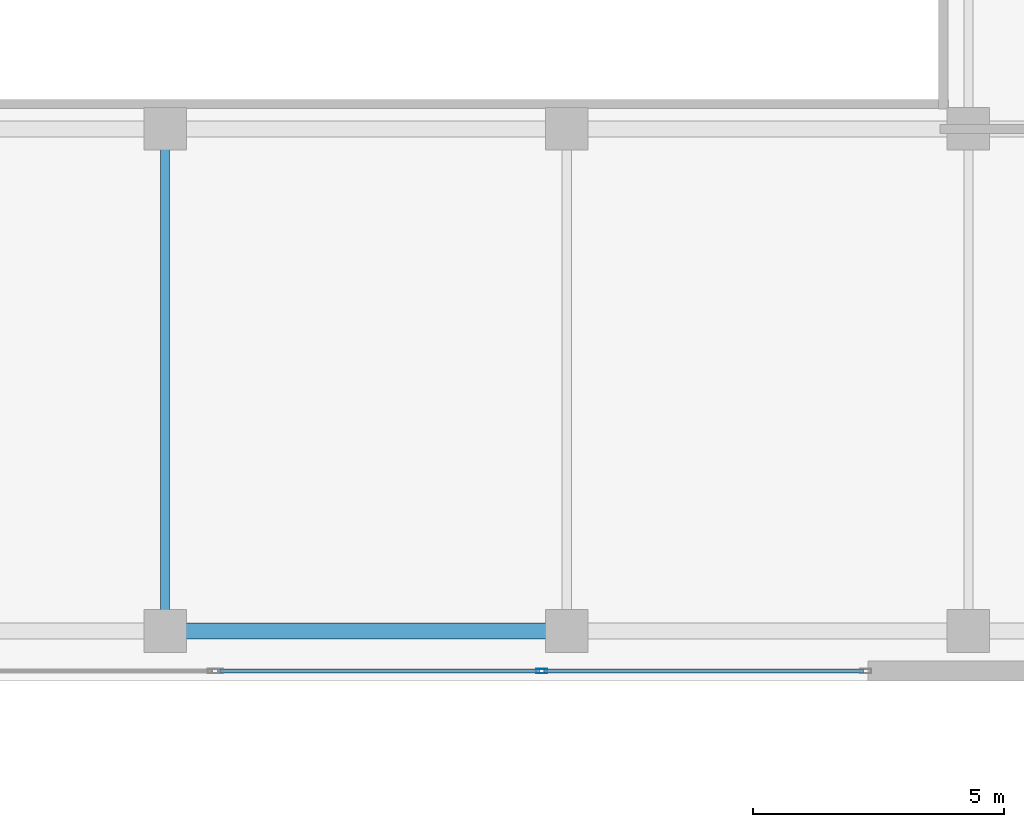
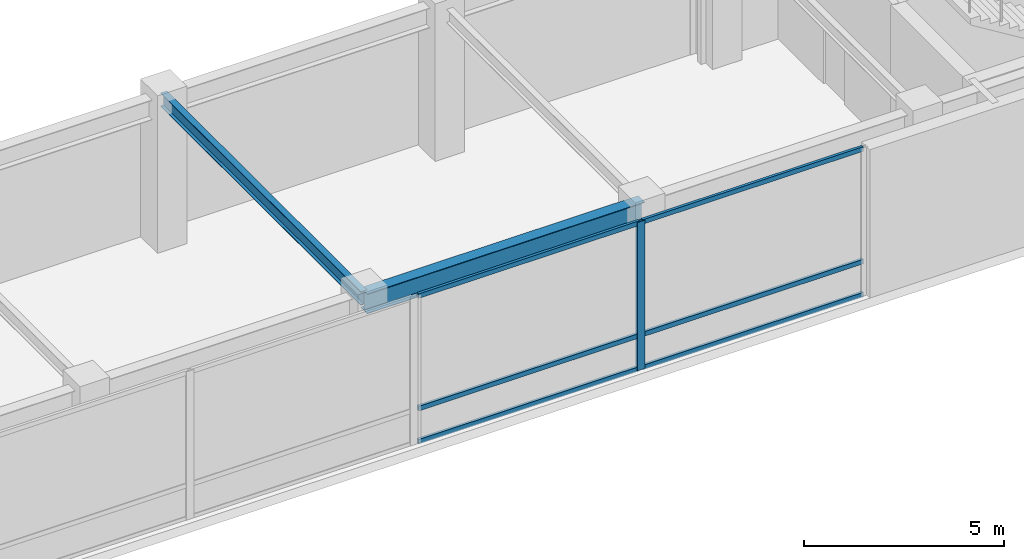
# One storey, part 14 of 40: 7 members, 2 beams, 1 element without a shape of its own.
"""IFC4 building model written with IfcOpenShell, lengths in metres."""

from ifc_helpers import new_model, si_unit, direction, frame, origin, origin_2d, place, context, subcontext, project, spatial, hollow_rectangle, i_section, extrude, material, layer, layer_set, material_profile, profile_set, type_object, element, aggregate, save


model = new_model("IFC4")

# Units and contexts
model_context = context("Model", 3, precision=1e-05, world=origin(), true_north=direction((0.0, 1.0)))
body_context = subcontext(model_context, "Body", "Model", "MODEL_VIEW")
ifc_project = project(units=[si_unit("LENGTHUNIT", "METRE"), si_unit("AREAUNIT", "SQUARE_METRE"), si_unit("VOLUMEUNIT", "CUBIC_METRE"), si_unit("PLANEANGLEUNIT", "RADIAN"), si_unit("MASSUNIT", "GRAM", prefix="KILO")], contexts=[model_context])

# Site, building, storey
site_placement = place(None, origin())
site = spatial("IfcSite", under=ifc_project, at=site_placement, CompositionType="ELEMENT")
building_placement = place(site_placement, origin())
building = spatial("IfcBuilding", under=site, at=building_placement, Name="Kazevale Care Tower and Concert Hall", CompositionType="ELEMENT")
storey_placement = place(building_placement, frame((0.0, 0.0, 9.60009765625)))
storey = spatial("IfcBuildingStorey", under=building, at=storey_placement, Name="L02", CompositionType="ELEMENT", Elevation=9.60009765625)

# Curtain wall, members
ifc_material_1 = material(Name="Aluminium 6063-T6 and Low-E Glass", Category="aluminium")
ifc_layer = layer(ifc_material_1, 0.179931640625)
ifc_layer_set = layer_set([ifc_layer], Name="Aluminium 6063-T6 and Low-E Glass")
curtain_wall_type = type_object("IfcCurtainWallType", Name="Concert Hall Foyer Storefront Curtain Wall CW-6", PredefinedType="NOTDEFINED", material=ifc_layer_set)
curtain_wall_placement = place(storey_placement, origin())
curtain_wall = element("IfcCurtainWall", 1, at=curtain_wall_placement, inside=storey, type_object=curtain_wall_type, Name="cw:L02:hall:S3", PredefinedType="NOTDEFINED")
ifc_material_2 = material(Name="Aluminium 6063-T6", Category="aluminium")
ifc_material_profile_1 = material_profile(ifc_material_2, hollow_rectangle(XDim=0.090087890625, YDim=0.219970703125, WallThickness=0.0048828125, at=origin_2d()), Name="ALU90x220x5")
ifc_profile_set_1 = profile_set([ifc_material_profile_1], Name="Aluminium 6063-T6")
member_type_1 = type_object("IfcMemberType", Name="CW-6 Mullion ALU90x220x5", PredefinedType="MULLION", material=ifc_profile_set_1)
member_1_placement = place(storey_placement, frame((127.5, 14.199951171875, 0.0), z_axis=(0.0, 0.0, 1.0), x_axis=(0.0, 1.0, 0.0)))
member_1 = element("IfcMember", 2, at=member_1_placement, type_object=member_type_1, Name="CW-6 mullion 2", PredefinedType="MULLION", context=body_context, shape_type="SweptSolid", body=[
    extrude(hollow_rectangle(XDim=0.090087890625, YDim=0.219970703125, WallThickness=0.0048828125, at=origin_2d()), origin(), (0.0, 0.0, 1.0), 4.52001953125),
])
ifc_material_profile_2 = material_profile(ifc_material_2, hollow_rectangle(XDim=0.080078125, YDim=0.139892578125, WallThickness=0.00390625, at=origin_2d()), Name="ALU80x140x4")
ifc_profile_set_2 = profile_set([ifc_material_profile_2], Name="Aluminium 6063-T6")
member_type_2 = type_object("IfcMemberType", Name="CW-6 Transom ALU80x140x4", PredefinedType="USERDEFINED", material=ifc_profile_set_2)
member_2_placement = place(storey_placement, frame((121.090087890625, 14.199951171875, 0.039794921875), z_axis=(1.0, 0.0, 0.0), x_axis=(0.0, 1.0, 0.0)))
member_2 = element("IfcMember", 3, at=member_2_placement, type_object=member_type_2, Name="CW-6 transom 1.1", ObjectType="TRANSOM", PredefinedType="USERDEFINED", context=body_context, shape_type="SweptSolid", body=[
    extrude(hollow_rectangle(XDim=0.080078125, YDim=0.139892578125, WallThickness=0.00390625, at=origin_2d()), origin(), (0.0, 0.0, 1.0), 6.364990234375),
])
member_3_placement = place(storey_placement, frame((121.090087890625, 14.199951171875, 1.0498046875), z_axis=(1.0, 0.0, 0.0), x_axis=(0.0, 1.0, 0.0)))
member_3 = element("IfcMember", 4, at=member_3_placement, type_object=member_type_2, Name="CW-6 transom 1.2", ObjectType="TRANSOM", PredefinedType="USERDEFINED", context=body_context, shape_type="SweptSolid", body=[
    extrude(hollow_rectangle(XDim=0.080078125, YDim=0.139892578125, WallThickness=0.00390625, at=origin_2d()), origin(), (0.0, 0.0, 1.0), 6.364990234375),
])
member_4_placement = place(storey_placement, frame((121.090087890625, 14.199951171875, 4.47998046875), z_axis=(1.0, 0.0, 0.0), x_axis=(0.0, 1.0, 0.0)))
member_4 = element("IfcMember", 5, at=member_4_placement, type_object=member_type_2, Name="CW-6 transom 1.3", ObjectType="TRANSOM", PredefinedType="USERDEFINED", context=body_context, shape_type="SweptSolid", body=[
    extrude(hollow_rectangle(XDim=0.080078125, YDim=0.139892578125, WallThickness=0.00390625, at=origin_2d()), origin(), (0.0, 0.0, 1.0), 6.364990234375),
])
member_5_placement = place(storey_placement, frame((127.544921875, 14.199951171875, 0.039794921875), z_axis=(1.0, 0.0, 0.0), x_axis=(0.0, 1.0, 0.0)))
member_5 = element("IfcMember", 6, at=member_5_placement, type_object=member_type_2, Name="CW-6 transom 2.1", ObjectType="TRANSOM", PredefinedType="USERDEFINED", context=body_context, shape_type="SweptSolid", body=[
    extrude(hollow_rectangle(XDim=0.080078125, YDim=0.139892578125, WallThickness=0.00390625, at=origin_2d()), origin(), (0.0, 0.0, 1.0), 6.364990234375),
])
member_6_placement = place(storey_placement, frame((127.544921875, 14.199951171875, 1.0498046875), z_axis=(1.0, 0.0, 0.0), x_axis=(0.0, 1.0, 0.0)))
member_6 = element("IfcMember", 7, at=member_6_placement, type_object=member_type_2, Name="CW-6 transom 2.2", ObjectType="TRANSOM", PredefinedType="USERDEFINED", context=body_context, shape_type="SweptSolid", body=[
    extrude(hollow_rectangle(XDim=0.080078125, YDim=0.139892578125, WallThickness=0.00390625, at=origin_2d()), origin(), (0.0, 0.0, 1.0), 6.364990234375),
])
member_7_placement = place(storey_placement, frame((127.544921875, 14.199951171875, 4.47998046875), z_axis=(1.0, 0.0, 0.0), x_axis=(0.0, 1.0, 0.0)))
member_7 = element("IfcMember", 8, at=member_7_placement, type_object=member_type_2, Name="CW-6 transom 2.3", ObjectType="TRANSOM", PredefinedType="USERDEFINED", context=body_context, shape_type="SweptSolid", body=[
    extrude(hollow_rectangle(XDim=0.080078125, YDim=0.139892578125, WallThickness=0.00390625, at=origin_2d()), origin(), (0.0, 0.0, 1.0), 6.364990234375),
])
aggregate(curtain_wall, [member_1, member_2, member_3, member_4, member_5, member_6, member_7])

# Beams
ifc_material_3 = material(Name="Steel ASTM A572 Gr 50", Category="steel")
ifc_material_profile_3 = material_profile(ifc_material_3, i_section(OverallWidth=0.323974609375, OverallDepth=0.611083984375, WebThickness=0.0126953125, FlangeThickness=0.01904296875, at=origin_2d()), Name="W610x155")
ifc_profile_set_3 = profile_set([ifc_material_profile_3], Name="Steel ASTM A572 Gr 50")
beam_type_1 = type_object("IfcBeamType", Name="Concert Hall Frame Girder W610x155", PredefinedType="BEAM", material=ifc_profile_set_3)
beam_1_placement = place(storey_placement, frame((120.0, 15.0, 4.21435546875), z_axis=(1.0, 0.0, 0.0), x_axis=(0.0, 1.0, 0.0)))
element("IfcBeam", 9, at=beam_1_placement, inside=storey, type_object=beam_type_1, Name="beam:L02:hx:120_15", PredefinedType="BEAM", context=body_context, shape_type="SweptSolid", body=[
    extrude(i_section(OverallWidth=0.323974609375, OverallDepth=0.611083984375, WebThickness=0.0126953125, FlangeThickness=0.01904296875, at=origin_2d()), origin(), (0.0, 0.0, 1.0), 8.0),
])
ifc_material_profile_4 = material_profile(ifc_material_3, i_section(OverallWidth=0.180908203125, OverallDepth=0.4169921875, WebThickness=0.010986328125, FlangeThickness=0.018310546875, at=origin_2d()), Name="W410x85")
ifc_profile_set_4 = profile_set([ifc_material_profile_4], Name="Steel ASTM A572 Gr 50")
beam_type_2 = type_object("IfcBeamType", Name="Concert Hall Secondary Beam W410x85", PredefinedType="BEAM", material=ifc_profile_set_4)
beam_2_placement = place(storey_placement, frame((120.0, 15.0, 4.3115234375), z_axis=(0.0, 1.0, 0.0), x_axis=(-1.0, 0.0, 0.0)))
element("IfcBeam", 10, at=beam_2_placement, inside=storey, type_object=beam_type_2, Name="beam:L02:hy:120_15", PredefinedType="BEAM", context=body_context, shape_type="SweptSolid", body=[
    extrude(i_section(OverallWidth=0.180908203125, OverallDepth=0.4169921875, WebThickness=0.010986328125, FlangeThickness=0.018310546875, at=origin_2d()), origin(), (0.0, 0.0, 1.0), 10.0),
])

save(model, "model.ifc")
